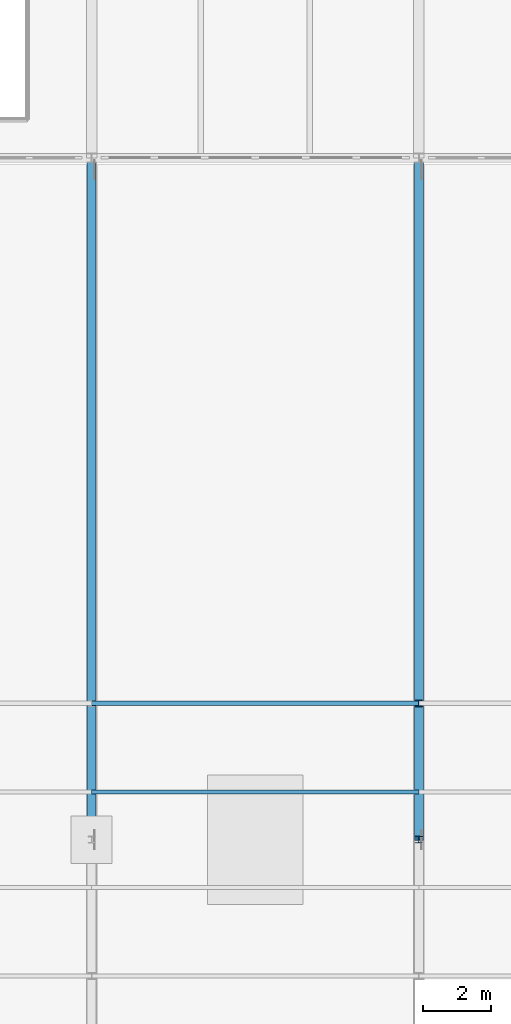
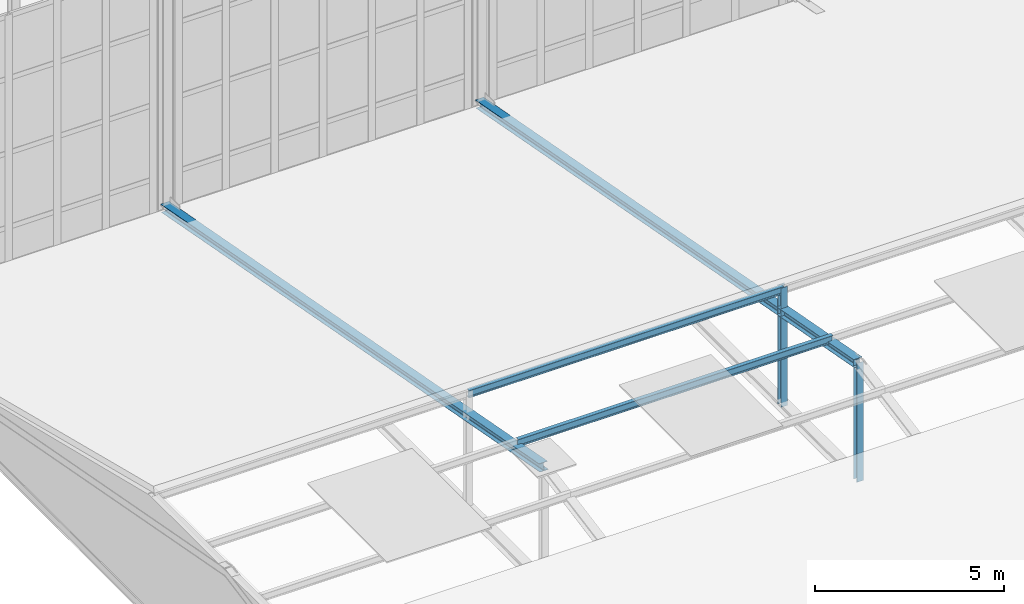
# One storey, part 28 of 73: 4 members, 2 beams.
"""IFC4 building model written with IfcOpenShell, lengths in metres."""

from ifc_helpers import new_model, si_unit, direction, frame, origin, origin_2d, place, context, subcontext, project, spatial, i_section, extrude, material, material_profile, profile_set, type_object, element, save


model = new_model("IFC4")

# Units and contexts
model_context = context("Model", 3, precision=1e-05, world=origin(), true_north=direction((0.0, 1.0)))
body_context = subcontext(model_context, "Body", "Model", "MODEL_VIEW")
ifc_project = project(units=[si_unit("LENGTHUNIT", "METRE"), si_unit("AREAUNIT", "SQUARE_METRE"), si_unit("VOLUMEUNIT", "CUBIC_METRE"), si_unit("PLANEANGLEUNIT", "RADIAN"), si_unit("MASSUNIT", "GRAM", prefix="KILO")], contexts=[model_context])

# Site, building, storey
site_placement = place(None, origin())
site = spatial("IfcSite", under=ifc_project, at=site_placement, CompositionType="ELEMENT")
building_placement = place(site_placement, origin())
building = spatial("IfcBuilding", under=site, at=building_placement, Name="Alderhovde Museum", CompositionType="ELEMENT")
storey_placement = place(building_placement, frame((0.0, 0.0, 17.39990234375)))
storey = spatial("IfcBuildingStorey", under=building, at=storey_placement, Name="L04", CompositionType="ELEMENT", Elevation=17.39990234375)

# Beams
ifc_material_1 = material(Name="Steel S355J2", Category="steel")
ifc_material_profile_1 = material_profile(ifc_material_1, i_section(OverallWidth=0.1201171875, OverallDepth=0.239990234375, WebThickness=0.006103515625, FlangeThickness=0.009765625, FilletRadius=0.014892578125, at=origin_2d()), Name="IPE 240")
ifc_profile_set_1 = profile_set([ifc_material_profile_1], Name="Steel S355J2")
beam_type = type_object("IfcBeamType", Name="BM-IPE240", PredefinedType="BEAM", material=ifc_profile_set_1)
for number, where, z_axis, x_axis, name in (
    (1, (86.39990234375, 53.39990234375, 3.840087890625), (1.0, 0.0, 0.0), (0.0, 1.0, 0.0), "Atrium Ridge Bearer Y=53"),
    (2, (86.39990234375, 56.0, 3.840087890625), (1.0, 0.0, 0.0), (0.0, 1.0, 0.0), "Atrium Ridge Bearer Y=56"),
):
    element("IfcBeam", number, at=place(storey_placement, frame(where, z_axis=z_axis, x_axis=x_axis)), inside=storey, type_object=beam_type, Name=name, PredefinedType="BEAM", context=body_context, shape_type="SweptSolid", body=[
        extrude(i_section(OverallWidth=0.1201171875, OverallDepth=0.239990234375, WebThickness=0.006103515625, FlangeThickness=0.009765625, FilletRadius=0.014892578125, at=origin_2d()), origin(), (0.0, 0.0, 1.0), 9.60009765625),
    ])

# Members
ifc_material_2 = material(Name="Steel S355J2", Category="steel")
ifc_material_profile_2 = material_profile(ifc_material_2, i_section(OverallWidth=0.260009765625, OverallDepth=0.25, WebThickness=0.007568359375, FlangeThickness=0.012451171875, FilletRadius=0.02392578125, at=origin_2d()), Name="HEA 260")
ifc_profile_set_2 = profile_set([ifc_material_profile_2], Name="Steel S355J2")
member_type_1 = type_object("IfcMemberType", Name="TR-CH-HEA260", PredefinedType="CHORD", material=ifc_profile_set_2)
for number, where, z_axis, x_axis, name in (
    (3, (86.39990234375, 72.0, 0.150146484375), (0.0, -0.982872186934, 0.18428853505), (1.0, 0.0, 0.0), "Atrium Truss X=86.4 North Rafter"),
    (4, (96.0, 72.0, 0.150146484375), (0.0, -0.982872186934, 0.18428853505), (1.0, 0.0, 0.0), "Atrium Truss X=96.0 North Rafter"),
):
    element("IfcMember", number, at=place(storey_placement, frame(where, z_axis=z_axis, x_axis=x_axis)), inside=storey, type_object=member_type_1, Name=name, PredefinedType="CHORD", context=body_context, shape_type="SweptSolid", body=[
        extrude(i_section(OverallWidth=0.260009765625, OverallDepth=0.25, WebThickness=0.007568359375, FlangeThickness=0.012451171875, FilletRadius=0.02392578125, at=origin_2d()), origin(), (0.0, 0.0, 1.0), 20.3486328125),
    ])
ifc_material_3 = material(Name="Steel S355J2", Category="steel")
ifc_material_profile_3 = material_profile(ifc_material_3, i_section(OverallWidth=0.199951171875, OverallDepth=0.18994140625, WebThickness=0.006591796875, FlangeThickness=0.010009765625, FilletRadius=0.01806640625, at=origin_2d()), Name="HEA 200")
ifc_profile_set_3 = profile_set([ifc_material_profile_3], Name="Steel S355J2")
member_type_2 = type_object("IfcMemberType", Name="TR-PS-HEA200", PredefinedType="POST", material=ifc_profile_set_3)
for number, where, z_axis, x_axis, name in (
    (5, (96.0, 52.0, 0.1201171875), (0.0, 0.0, 1.0), (1.0, 0.0, 0.0), "Atrium Truss X=96.0 Post P2"),
    (6, (96.0, 56.0, 0.1201171875), (0.0, 0.0, 1.0), (1.0, 0.0, 0.0), "Atrium Truss X=96.0 Post P3"),
):
    element("IfcMember", number, at=place(storey_placement, frame(where, z_axis=z_axis, x_axis=x_axis)), inside=storey, type_object=member_type_2, Name=name, PredefinedType="POST", context=body_context, shape_type="SweptSolid", body=[
        extrude(i_section(OverallWidth=0.199951171875, OverallDepth=0.18994140625, WebThickness=0.006591796875, FlangeThickness=0.010009765625, FilletRadius=0.01806640625, at=origin_2d()), origin(), (0.0, 0.0, 1.0), 3.840087890625),
    ])

save(model, "model.ifc")
